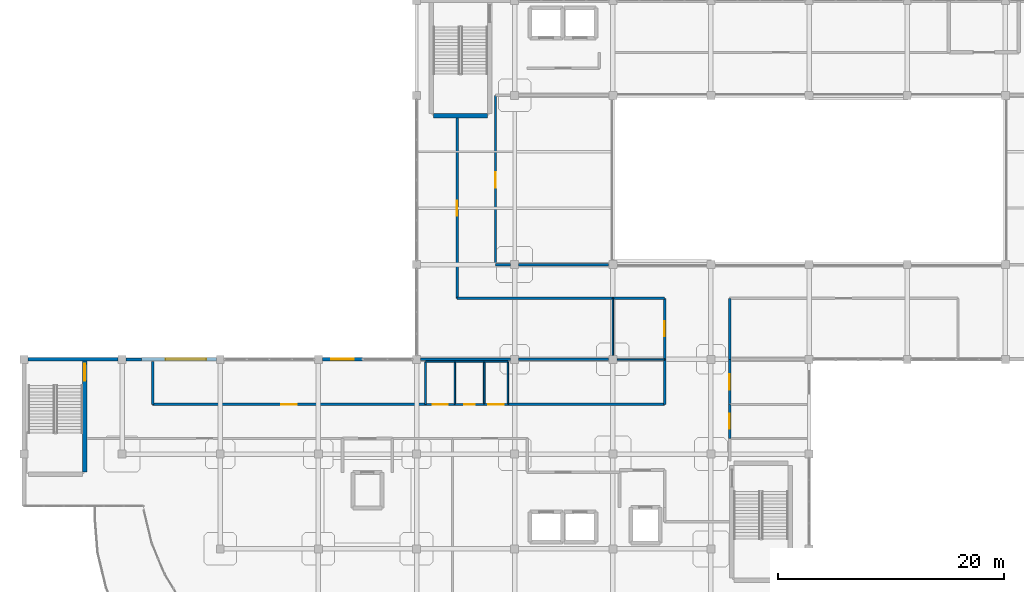
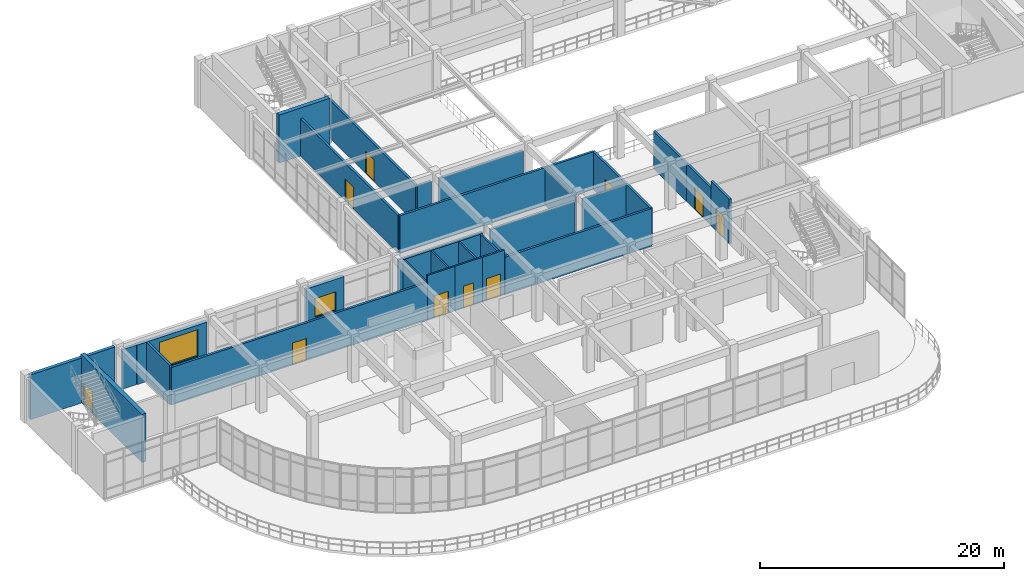
# One storey, part 61 of 76: 34 walls, 10 doors, 2 windows, 12 openings.
"""IFC4 building model written with IfcOpenShell, lengths in metres."""

from ifc_helpers import new_model, si_unit, derived_unit, direction, frame, frame_2d, origin, place, context, subcontext, project, spatial, rectangle, extrude, material, layer, layer_set, type_object, element, fill, save


model = new_model("IFC4")

# Units and contexts
model_context = context("Model", 3, precision=1e-05, world=origin(), true_north=direction((0.0, 1.0)))
body_context = subcontext(model_context, "Body", "Model", "MODEL_VIEW")
ifc_project = project(units=[si_unit("LENGTHUNIT", "METRE"), si_unit("AREAUNIT", "SQUARE_METRE"), si_unit("VOLUMEUNIT", "CUBIC_METRE"), si_unit("PLANEANGLEUNIT", "RADIAN"), si_unit("MASSUNIT", "GRAM", prefix="KILO"), derived_unit("THERMALTRANSMITTANCEUNIT", [(si_unit("MASSUNIT", "GRAM", prefix="KILO"), 1), (si_unit("TIMEUNIT", "SECOND"), -3), (si_unit("THERMODYNAMICTEMPERATUREUNIT", "KELVIN"), -1)])], contexts=[model_context])

# Site, building, storey
site_placement = place(None, origin())
site = spatial("IfcSite", under=ifc_project, at=site_placement, CompositionType="ELEMENT")
building_placement = place(site_placement, origin())
building = spatial("IfcBuilding", under=site, at=building_placement, Name="Qinzheling Arcade Emporium", CompositionType="ELEMENT")
storey_placement = place(building_placement, frame((0.0, 0.0, 26.699951171875)))
storey = spatial("IfcBuildingStorey", under=building, at=storey_placement, Name="L06", CompositionType="ELEMENT", Elevation=26.699951171875)

# Wall, opening, door
ifc_material_1 = material(Name="Double-stud acoustic gypsum board partition")
ifc_layer_1 = layer(ifc_material_1, 0.215087890625, Name="Double-stud acoustic gypsum board partition")
ifc_layer_set_1 = layer_set([ifc_layer_1], Name="Double-stud acoustic gypsum board partition")
wall_type_1 = type_object("IfcWallType", Name="Acoustic Corridor Partition Wall 215", PredefinedType="PARTITIONING", material=ifc_layer_set_1)
wall_1_placement = place(storey_placement, frame((62.550048828125, 42.0, 0.0), z_axis=(0.0, 0.0, 1.0), x_axis=(0.0, -1.0, 0.0)))
wall_1 = element("IfcWall", 1, at=wall_1_placement, inside=storey, type_object=wall_type_1, Name="Interior Wall WL-L06-INT-0828", PredefinedType="PARTITIONING", context=body_context, shape_type="SweptSolid", body=[
    extrude(rectangle(XDim=4.0, YDim=0.215087890625, at=frame_2d((2.0, 0.0))), origin(), (0.0, 0.0, 1.0), 3.760009765625),
])
opening_1_placement = place(wall_1_placement, frame((1.324951171875, 0.0, 0.0)))
opening_1 = element("IfcOpeningElement", 2, at=opening_1_placement, cuts=wall_1, Name="Opening FD05", PredefinedType="OPENING", context=body_context, shape_type="SweptSolid", body=[
    extrude(rectangle(XDim=1.35009765625, YDim=2.199951171875, at=frame_2d((0.675048828125, 1.10009765625))), frame((0.0, 0.11767578125, 0.0), z_axis=(0.0, -1.0, 0.0), x_axis=(1.0, 0.0, 0.0)), (0.0, 0.0, 1.0), 0.235107421875),
])
ifc_material_2 = material(Name="Class B fire-rated stainless-clad door")
door_type_1 = type_object("IfcDoorType", Name="Kitchen Fire-Rated Service Door 1350x2200", OperationType="NOTDEFINED", PredefinedType="DOOR", material=ifc_material_2)
door_1_placement = place(opening_1_placement, origin())
door_1 = element("IfcDoor", 3, at=door_1_placement, inside=storey, type_object=door_type_1, Name="FD05 Interior Door DR-L06-INT-0237", OperationType="SINGLE_SWING_LEFT", OverallHeight=2.199951171875, OverallWidth=1.35009765625, PredefinedType="DOOR", context=body_context, shape_type="SweptSolid", body=[
    extrude(rectangle(XDim=1.35009765625, YDim=2.199951171875, at=frame_2d((0.675048828125, 1.10009765625))), frame((0.0, 0.02490234375, 0.0), z_axis=(0.0, -1.0, 0.0), x_axis=(1.0, 0.0, 0.0)), (0.0, 0.0, 1.0), 0.050048828125),
])
fill(opening_1, door_1)

# Wall
wall_2_placement = place(storey_placement, frame((11.39990234375, 41.824951171875, 0.0), z_axis=(0.0, 0.0, 1.0), x_axis=(0.0, -1.0, 0.0)))
element("IfcWall", 4, at=wall_2_placement, inside=storey, type_object=wall_type_1, Name="Interior Wall WL-L06-INT-0829", PredefinedType="PARTITIONING", context=body_context, shape_type="SweptSolid", body=[
    extrude(rectangle(XDim=3.824951171875, YDim=0.215087890625, at=frame_2d((1.91259765625, 0.0))), origin(), (0.0, 0.0, 1.0), 3.9599609375),
])

# Wall, opening, door
wall_3_placement = place(storey_placement, frame((11.39990234375, 38.0, 0.0), z_axis=(0.0, 0.0, 1.0), x_axis=(1.0, 0.0, 0.0)))
wall_3 = element("IfcWall", 5, at=wall_3_placement, inside=storey, type_object=wall_type_1, Name="Interior Wall WL-L06-INT-0830", PredefinedType="PARTITIONING", context=body_context, shape_type="SweptSolid", body=[
    extrude(rectangle(XDim=24.2001953125, YDim=0.215087890625, at=frame_2d((12.10009765625, 0.0))), origin(), (0.0, 0.0, 1.0), 3.760009765625),
])
opening_2_placement = place(wall_3_placement, frame((11.425048828125, 0.0, 0.0)))
opening_2 = element("IfcOpeningElement", 6, at=opening_2_placement, cuts=wall_3, Name="Opening FD05", PredefinedType="OPENING", context=body_context, shape_type="SweptSolid", body=[
    extrude(rectangle(XDim=1.35009765625, YDim=2.199951171875, at=frame_2d((0.675048828125, 1.10009765625))), frame((0.0, 0.11767578125, 0.0), z_axis=(0.0, -1.0, 0.0), x_axis=(1.0, 0.0, 0.0)), (0.0, 0.0, 1.0), 0.235107421875),
])
door_2_placement = place(opening_2_placement, origin())
door_2 = element("IfcDoor", 7, at=door_2_placement, inside=storey, type_object=door_type_1, Name="FD05 Interior Door DR-L06-INT-0238", OperationType="SINGLE_SWING_RIGHT", OverallHeight=2.199951171875, OverallWidth=1.35009765625, PredefinedType="DOOR", context=body_context, shape_type="SweptSolid", body=[
    extrude(rectangle(XDim=1.35009765625, YDim=2.199951171875, at=frame_2d((0.675048828125, 1.10009765625))), frame((0.0, 0.02490234375, 0.0), z_axis=(0.0, -1.0, 0.0), x_axis=(1.0, 0.0, 0.0)), (0.0, 0.0, 1.0), 0.050048828125),
])
fill(opening_2, door_2)

# Walls
wall_4_placement = place(storey_placement, frame((42.89990234375, 38.0, 0.0), z_axis=(0.0, 0.0, 1.0), x_axis=(1.0, 0.0, 0.0)))
element("IfcWall", 8, at=wall_4_placement, inside=storey, type_object=wall_type_1, Name="Interior Wall WL-L06-INT-0831", PredefinedType="PARTITIONING", context=body_context, shape_type="SweptSolid", body=[
    extrude(rectangle(XDim=13.900146484375, YDim=0.215087890625, at=frame_2d((6.9501953125, 0.0))), origin(), (0.0, 0.0, 1.0), 3.760009765625),
])
wall_5_placement = place(storey_placement, frame((56.800048828125, 38.0, 0.0), z_axis=(0.0, 0.0, 1.0), x_axis=(0.0, 1.0, 0.0)))
element("IfcWall", 9, at=wall_5_placement, inside=storey, type_object=wall_type_1, Name="Interior Wall WL-L06-INT-0832", PredefinedType="PARTITIONING", context=body_context, shape_type="SweptSolid", body=[
    extrude(rectangle(XDim=4.0, YDim=0.215087890625, at=frame_2d((2.0, 0.0))), origin(), (0.0, 0.0, 1.0), 3.760009765625),
])
wall_6_placement = place(storey_placement, frame((52.199951171875, 47.39990234375, 0.0), z_axis=(0.0, 0.0, 1.0), x_axis=(-1.0, 0.0, 0.0)))
element("IfcWall", 10, at=wall_6_placement, inside=storey, type_object=wall_type_1, Name="Interior Wall WL-L06-INT-0841", PredefinedType="PARTITIONING", context=body_context, shape_type="SweptSolid", body=[
    extrude(rectangle(XDim=13.800048828125, YDim=0.215087890625, at=frame_2d((6.89990234375, 0.0))), origin(), (0.0, 0.0, 1.0), 3.760009765625),
])

# Wall, opening, door
wall_7_placement = place(storey_placement, frame((38.39990234375, 47.39990234375, 0.0), z_axis=(0.0, 0.0, 1.0), x_axis=(0.0, 1.0, 0.0)))
wall_7 = element("IfcWall", 11, at=wall_7_placement, inside=storey, type_object=wall_type_1, Name="Interior Wall WL-L06-INT-0842", PredefinedType="PARTITIONING", context=body_context, shape_type="SweptSolid", body=[
    extrude(rectangle(XDim=15.9951171875, YDim=0.215087890625, at=frame_2d((7.99755859375, 0.0))), origin(), (0.0, 0.0, 1.0), 3.760009765625),
])
opening_3_placement = place(wall_7_placement, frame((7.322998046875, 0.0, 0.0)))
opening_3 = element("IfcOpeningElement", 12, at=opening_3_placement, cuts=wall_7, Name="Opening FD05", PredefinedType="OPENING", context=body_context, shape_type="SweptSolid", body=[
    extrude(rectangle(XDim=1.35009765625, YDim=2.199951171875, at=frame_2d((0.675048828125, 1.10009765625))), frame((0.0, 0.11767578125, 0.0), z_axis=(0.0, -1.0, 0.0), x_axis=(1.0, 0.0, 0.0)), (0.0, 0.0, 1.0), 0.235107421875),
])
door_3_placement = place(opening_3_placement, origin())
door_3 = element("IfcDoor", 13, at=door_3_placement, inside=storey, type_object=door_type_1, Name="FD05 Interior Door DR-L06-INT-0241", OperationType="SINGLE_SWING_LEFT", OverallHeight=2.199951171875, OverallWidth=1.35009765625, PredefinedType="DOOR", context=body_context, shape_type="SweptSolid", body=[
    extrude(rectangle(XDim=1.35009765625, YDim=2.199951171875, at=frame_2d((0.675048828125, 1.10009765625))), frame((0.0, 0.02490234375, 0.0), z_axis=(0.0, -1.0, 0.0), x_axis=(1.0, 0.0, 0.0)), (0.0, 0.0, 1.0), 0.050048828125),
])
fill(opening_3, door_3)

wall_8_placement = place(storey_placement, frame((41.800048828125, 65.39990234375, 0.0), z_axis=(0.0, 0.0, 1.0), x_axis=(0.0, -1.0, 0.0)))
wall_8 = element("IfcWall", 14, at=wall_8_placement, inside=storey, type_object=wall_type_1, Name="Interior Wall WL-L06-INT-0845", PredefinedType="PARTITIONING", context=body_context, shape_type="SweptSolid", body=[
    extrude(rectangle(XDim=15.0, YDim=0.215087890625, at=frame_2d((7.5, 0.0))), origin(), (0.0, 0.0, 1.0), 3.760009765625),
])
opening_4_placement = place(wall_8_placement, frame((6.824951171875, 0.0, 0.0)))
opening_4 = element("IfcOpeningElement", 15, at=opening_4_placement, cuts=wall_8, Name="Opening FD05", PredefinedType="OPENING", context=body_context, shape_type="SweptSolid", body=[
    extrude(rectangle(XDim=1.35009765625, YDim=2.199951171875, at=frame_2d((0.675048828125, 1.10009765625))), frame((0.0, 0.11767578125, 0.0), z_axis=(0.0, -1.0, 0.0), x_axis=(1.0, 0.0, 0.0)), (0.0, 0.0, 1.0), 0.235107421875),
])
door_4_placement = place(opening_4_placement, origin())
door_4 = element("IfcDoor", 16, at=door_4_placement, inside=storey, type_object=door_type_1, Name="FD05 Interior Door DR-L06-INT-0242", OperationType="SINGLE_SWING_RIGHT", OverallHeight=2.199951171875, OverallWidth=1.35009765625, PredefinedType="DOOR", context=body_context, shape_type="SweptSolid", body=[
    extrude(rectangle(XDim=1.35009765625, YDim=2.199951171875, at=frame_2d((0.675048828125, 1.10009765625))), frame((0.0, 0.02490234375, 0.0), z_axis=(0.0, -1.0, 0.0), x_axis=(1.0, 0.0, 0.0)), (0.0, 0.0, 1.0), 0.050048828125),
])
fill(opening_4, door_4)

# Walls
wall_9_placement = place(storey_placement, frame((41.800048828125, 50.39990234375, 0.0), z_axis=(0.0, 0.0, 1.0), x_axis=(1.0, 0.0, 0.0)))
element("IfcWall", 17, at=wall_9_placement, inside=storey, type_object=wall_type_1, Name="Interior Wall WL-L06-INT-0846", PredefinedType="PARTITIONING", context=body_context, shape_type="SweptSolid", body=[
    extrude(rectangle(XDim=1.33984375, YDim=0.215087890625, at=frame_2d((0.669921875, 0.0))), origin(), (0.0, 0.0, 1.0), 3.760009765625),
])
wall_10_placement = place(storey_placement, frame((43.860107421875, 50.39990234375, 0.0), z_axis=(0.0, 0.0, 1.0), x_axis=(1.0, 0.0, 0.0)))
element("IfcWall", 18, at=wall_10_placement, inside=storey, type_object=wall_type_1, Name="Interior Wall WL-L06-INT-0847", PredefinedType="PARTITIONING", context=body_context, shape_type="SweptSolid", body=[
    extrude(rectangle(XDim=7.97998046875, YDim=0.215087890625, at=frame_2d((3.989990234375, 0.0))), origin(), (0.0, 0.0, 1.0), 3.760009765625),
])
wall_11_placement = place(storey_placement, frame((62.550048828125, 47.39990234375, 0.0), z_axis=(0.0, 0.0, 1.0), x_axis=(0.0, -1.0, 0.0)))
element("IfcWall", 19, at=wall_11_placement, inside=storey, type_object=wall_type_1, Name="Interior Wall WL-L06-INT-0851", PredefinedType="PARTITIONING", context=body_context, shape_type="SweptSolid", body=[
    extrude(rectangle(XDim=5.39990234375, YDim=0.215087890625, at=frame_2d((2.699951171875, 0.0))), origin(), (0.0, 0.0, 1.0), 3.760009765625),
])

# Wall, opening, door
wall_12_placement = place(storey_placement, frame((56.800048828125, 42.0, 0.0), z_axis=(0.0, 0.0, 1.0), x_axis=(0.0, 1.0, 0.0)))
wall_12 = element("IfcWall", 20, at=wall_12_placement, inside=storey, type_object=wall_type_1, Name="Interior Wall WL-L06-INT-0852", PredefinedType="PARTITIONING", context=body_context, shape_type="SweptSolid", body=[
    extrude(rectangle(XDim=5.39990234375, YDim=0.215087890625, at=frame_2d((2.699951171875, 0.0))), origin(), (0.0, 0.0, 1.0), 3.760009765625),
])
opening_5_placement = place(wall_12_placement, frame((2.02490234375, 0.0, 0.0)))
opening_5 = element("IfcOpeningElement", 21, at=opening_5_placement, cuts=wall_12, Name="Opening FD05", PredefinedType="OPENING", context=body_context, shape_type="SweptSolid", body=[
    extrude(rectangle(XDim=1.35009765625, YDim=2.199951171875, at=frame_2d((0.675048828125, 1.10009765625))), frame((0.0, 0.11767578125, 0.0), z_axis=(0.0, -1.0, 0.0), x_axis=(1.0, 0.0, 0.0)), (0.0, 0.0, 1.0), 0.235107421875),
])
door_5_placement = place(opening_5_placement, origin())
door_5 = element("IfcDoor", 22, at=door_5_placement, inside=storey, type_object=door_type_1, Name="FD05 Interior Door DR-L06-INT-0245", OperationType="SINGLE_SWING_LEFT", OverallHeight=2.199951171875, OverallWidth=1.35009765625, PredefinedType="DOOR", context=body_context, shape_type="SweptSolid", body=[
    extrude(rectangle(XDim=1.35009765625, YDim=2.199951171875, at=frame_2d((0.675048828125, 1.10009765625))), frame((0.0, 0.02490234375, 0.0), z_axis=(0.0, -1.0, 0.0), x_axis=(1.0, 0.0, 0.0)), (0.0, 0.0, 1.0), 0.050048828125),
])
fill(opening_5, door_5)

# Wall
wall_13_placement = place(storey_placement, frame((56.800048828125, 47.39990234375, 0.0), z_axis=(0.0, 0.0, 1.0), x_axis=(-1.0, 0.0, 0.0)))
element("IfcWall", 23, at=wall_13_placement, inside=storey, type_object=wall_type_1, Name="Interior Wall WL-L06-INT-0853", PredefinedType="PARTITIONING", context=body_context, shape_type="SweptSolid", body=[
    extrude(rectangle(XDim=4.60009765625, YDim=0.215087890625, at=frame_2d((2.300048828125, 0.0))), origin(), (0.0, 0.0, 1.0), 3.760009765625),
])

# Wall, opening, door
wall_14_placement = place(storey_placement, frame((62.550048828125, 38.0, 0.0), z_axis=(0.0, 0.0, 1.0), x_axis=(0.0, -1.0, 0.0)))
wall_14 = element("IfcWall", 24, at=wall_14_placement, inside=storey, type_object=wall_type_1, Name="Interior Wall WL-L06-INT-0865", PredefinedType="PARTITIONING", context=body_context, shape_type="SweptSolid", body=[
    extrude(rectangle(XDim=3.0, YDim=0.215087890625, at=frame_2d((1.5, 0.0))), origin(), (0.0, 0.0, 1.0), 4.4599609375),
])
opening_6_placement = place(wall_14_placement, frame((0.824951171875, 0.0, 0.0)))
opening_6 = element("IfcOpeningElement", 25, at=opening_6_placement, cuts=wall_14, Name="Opening FD05", PredefinedType="OPENING", context=body_context, shape_type="SweptSolid", body=[
    extrude(rectangle(XDim=1.35009765625, YDim=2.199951171875, at=frame_2d((0.675048828125, 1.10009765625))), frame((0.0, 0.11767578125, 0.0), z_axis=(0.0, -1.0, 0.0), x_axis=(1.0, 0.0, 0.0)), (0.0, 0.0, 1.0), 0.235107421875),
])
door_6_placement = place(opening_6_placement, origin())
door_6 = element("IfcDoor", 26, at=door_6_placement, inside=storey, type_object=door_type_1, Name="FD05 Interior Door DR-L06-INT-0254", OperationType="SINGLE_SWING_RIGHT", OverallHeight=2.199951171875, OverallWidth=1.35009765625, PredefinedType="DOOR", context=body_context, shape_type="SweptSolid", body=[
    extrude(rectangle(XDim=1.35009765625, YDim=2.199951171875, at=frame_2d((0.675048828125, 1.10009765625))), frame((0.0, 0.02490234375, 0.0), z_axis=(0.0, -1.0, 0.0), x_axis=(1.0, 0.0, 0.0)), (0.0, 0.0, 1.0), 0.050048828125),
])
fill(opening_6, door_6)

# Walls
for number, where, z_axis, x_axis, name in (
    (27, (35.159912109375, 42.0, 0.0), (0.0, 0.0, 1.0), (1.0, 0.0, 0.0), "Interior Wall WL-L06-INT-0868"),
    (28, (43.860107421875, 42.0, 0.0), (0.0, 0.0, 1.0), (1.0, 0.0, 0.0), "Interior Wall WL-L06-INT-0869"),
):
    element("IfcWall", number, at=place(storey_placement, frame(where, z_axis=z_axis, x_axis=x_axis)), inside=storey, type_object=wall_type_1, Name=name, PredefinedType="PARTITIONING", context=body_context, shape_type="SweptSolid", body=[
        extrude(rectangle(XDim=7.97998046875, YDim=0.215087890625, at=frame_2d((3.989990234375, 0.0))), origin(), (0.0, 0.0, 1.0), 3.760009765625),
    ])
ifc_material_3 = material(Name="Insulated aluminium-clad spandrel wall", Category="aluminium")
ifc_layer_2 = layer(ifc_material_3, 0.260009765625, Name="Insulated aluminium-clad spandrel wall", Category="aluminium")
ifc_layer_set_2 = layer_set([ifc_layer_2], Name="Insulated aluminium-clad spandrel wall")
wall_type_2 = type_object("IfcWallType", Name="Arcade Clerestory Spandrel Wall 260", PredefinedType="STANDARD", material=ifc_layer_set_2)
wall_15_placement = place(storey_placement, frame((9.052001953125, 42.0, 0.0), z_axis=(0.0, 0.0, 1.0), x_axis=(1.0, 0.0, 0.0)))
element("IfcWall", 29, at=wall_15_placement, inside=storey, type_object=wall_type_2, Name="Exterior Wall WL-L06-EW-0306", PredefinedType="STANDARD", context=body_context, shape_type="SweptSolid", body=[
    extrude(rectangle(XDim=1.347900390625, YDim=0.260009765625, at=frame_2d((0.673828125, 0.0))), origin(), (0.0, 0.0, 1.0), 3.955078125),
])

# Wall, opening, window
ifc_material_4 = material(Name="Celadon glazed terracotta insulated spandrel", Category="masonry")
ifc_layer_3 = layer(ifc_material_4, 0.340087890625, Name="Celadon glazed terracotta insulated spandrel", Category="masonry")
ifc_layer_set_3 = layer_set([ifc_layer_3], Name="Celadon glazed terracotta insulated spandrel")
wall_type_3 = type_object("IfcWallType", Name="Celadon Spandrel Infill Wall 340", PredefinedType="STANDARD", material=ifc_layer_set_3)
wall_16_placement = place(storey_placement, frame((10.39990234375, 42.0, 0.0), z_axis=(0.0, 0.0, 1.0), x_axis=(1.0, 0.0, 0.0)))
wall_16 = element("IfcWall", 30, at=wall_16_placement, inside=storey, type_object=wall_type_3, Name="Exterior Wall WL-L06-EW-0307", PredefinedType="STANDARD", context=body_context, shape_type="SweptSolid", body=[
    extrude(rectangle(XDim=6.648193359375, YDim=0.340087890625, at=frame_2d((3.32421875, 0.0))), origin(), (0.0, 0.0, 1.0), 3.955078125),
])
opening_7_placement = place(wall_16_placement, frame((2.154052734375, 0.0, 0.85009765625)))
opening_7 = element("IfcOpeningElement", 31, at=opening_7_placement, cuts=wall_16, Name="Opening WN24", PredefinedType="OPENING", context=body_context, shape_type="SweptSolid", body=[
    extrude(rectangle(XDim=3.60009765625, YDim=2.64990234375, at=frame_2d((1.800048828125, 1.324951171875))), frame((0.0, 0.18017578125, 0.0), z_axis=(0.0, -1.0, 0.0), x_axis=(1.0, 0.0, 0.0)), (0.0, 0.0, 1.0), 0.360107421875),
])
ifc_material_5 = material(Name="Thermally broken aluminium frame with solar-control double glazing", Category="aluminium")
window_type_1 = type_object("IfcWindowType", Name="Chicago Tripartite Window 3600x2650", PartitioningType="TRIPLE_PANEL_VERTICAL", PredefinedType="WINDOW", material=ifc_material_5)
window_1_placement = place(opening_7_placement, origin())
window_1 = element("IfcWindow", 32, at=window_1_placement, inside=storey, type_object=window_type_1, Name="WN24 Window WN-L06-0076", OverallHeight=2.64990234375, OverallWidth=3.60009765625, PartitioningType="TRIPLE_PANEL_VERTICAL", PredefinedType="WINDOW", context=body_context, shape_type="SweptSolid", body=[
    extrude(rectangle(XDim=3.60009765625, YDim=2.64990234375, at=frame_2d((1.800048828125, 1.324951171875))), frame((0.0, 0.030029296875, 0.0), z_axis=(0.0, -1.0, 0.0), x_axis=(1.0, 0.0, 0.0)), (0.0, 0.0, 1.0), 0.06005859375),
])
fill(opening_7, window_1)

ifc_material_6 = material(Name="Glazed cream terracotta insulated wall", Category="masonry")
ifc_layer_4 = layer(ifc_material_6, 0.320068359375, Name="Glazed cream terracotta insulated wall", Category="masonry")
ifc_layer_set_4 = layer_set([ifc_layer_4], Name="Glazed cream terracotta insulated wall")
wall_type_4 = type_object("IfcWallType", Name="Chicago Frame Infill Wall 320", PredefinedType="STANDARD", material=ifc_layer_set_4)
wall_17_placement = place(storey_placement, frame((26.451904296875, 42.0, 0.0), z_axis=(0.0, 0.0, 1.0), x_axis=(1.0, 0.0, 0.0)))
wall_17 = element("IfcWall", 33, at=wall_17_placement, inside=storey, type_object=wall_type_4, Name="Exterior Wall WL-L06-EW-0308", PredefinedType="STANDARD", context=body_context, shape_type="SweptSolid", body=[
    extrude(rectangle(XDim=3.548095703125, YDim=0.320068359375, at=frame_2d((1.77392578125, 0.0))), origin(), (0.0, 0.0, 1.0), 3.955078125),
])
opening_8_placement = place(wall_17_placement, frame((0.77392578125, 0.0, 0.85009765625)))
opening_8 = element("IfcOpeningElement", 34, at=opening_8_placement, cuts=wall_17, Name="Opening WN60", PredefinedType="OPENING", context=body_context, shape_type="SweptSolid", body=[
    extrude(rectangle(XDim=2.0, YDim=1.85009765625, at=frame_2d((1.0, 0.925048828125))), frame((0.0, 0.169921875, 0.0), z_axis=(0.0, -1.0, 0.0), x_axis=(1.0, 0.0, 0.0)), (0.0, 0.0, 1.0), 0.340087890625),
])
window_type_2 = type_object("IfcWindowType", Name="Chicago Tripartite Window 2000x1850", PartitioningType="TRIPLE_PANEL_VERTICAL", PredefinedType="WINDOW", material=ifc_material_5)
window_2_placement = place(opening_8_placement, origin())
window_2 = element("IfcWindow", 35, at=window_2_placement, inside=storey, type_object=window_type_2, Name="WN60 Window WN-L06-0077", OverallHeight=1.85009765625, OverallWidth=2.0, PartitioningType="TRIPLE_PANEL_VERTICAL", PredefinedType="WINDOW", context=body_context, shape_type="SweptSolid", body=[
    extrude(rectangle(XDim=2.0, YDim=1.85009765625, at=frame_2d((1.0, 0.925048828125))), frame((0.0, 0.030029296875, 0.0), z_axis=(0.0, -1.0, 0.0), x_axis=(1.0, 0.0, 0.0)), (0.0, 0.0, 1.0), 0.06005859375),
])
fill(opening_8, window_2)

# Wall
ifc_material_7 = material(Name="Lightweight gypsum studio partition")
ifc_layer_5 = layer(ifc_material_7, 0.125, Name="Lightweight gypsum studio partition")
ifc_layer_set_5 = layer_set([ifc_layer_5], Name="Lightweight gypsum studio partition")
wall_type_5 = type_object("IfcWallType", Name="Merchandising Studio Partition Wall 125", PredefinedType="PARTITIONING", material=ifc_layer_set_5)
wall_18_placement = place(storey_placement, frame((52.56005859375, 42.0, 0.0), z_axis=(0.0, 0.0, 1.0), x_axis=(1.0, 0.0, 0.0)))
element("IfcWall", 36, at=wall_18_placement, inside=storey, type_object=wall_type_5, Name="Interior Wall WL-L06-INT-0870", PredefinedType="PARTITIONING", context=body_context, shape_type="SweptSolid", body=[
    extrude(rectangle(XDim=4.239990234375, YDim=0.125, at=frame_2d((2.1201171875, 0.0))), origin(), (0.0, 0.0, 1.0), 3.760009765625),
])

# Wall, opening, door
ifc_material_8 = material(Name="Moisture-resistant shaftliner gypsum board")
ifc_layer_6 = layer(ifc_material_8, 0.155029296875, Name="Moisture-resistant shaftliner gypsum board")
ifc_layer_set_6 = layer_set([ifc_layer_6], Name="Moisture-resistant shaftliner gypsum board")
wall_type_6 = type_object("IfcWallType", Name="Plumbing and Service Riser Wall 155", PredefinedType="MOVABLE", material=ifc_layer_set_6)
wall_19_placement = place(storey_placement, frame((38.199951171875, 38.0, 0.0), z_axis=(0.0, 0.0, 1.0), x_axis=(-1.0, 0.0, 0.0)))
wall_19 = element("IfcWall", 37, at=wall_19_placement, inside=storey, type_object=wall_type_6, Name="Interior Wall WL-L06-INT-0805", PredefinedType="MOVABLE", context=body_context, shape_type="SweptSolid", body=[
    extrude(rectangle(XDim=2.599853515625, YDim=0.155029296875, at=frame_2d((1.2998046875, 0.0))), origin(), (0.0, 0.0, 1.0), 4.4599609375),
])
opening_9_placement = place(wall_19_placement, frame((0.625, 0.0, 0.0)))
opening_9 = element("IfcOpeningElement", 38, at=opening_9_placement, cuts=wall_19, Name="Opening FD05", PredefinedType="OPENING", context=body_context, shape_type="SweptSolid", body=[
    extrude(rectangle(XDim=1.35009765625, YDim=2.199951171875, at=frame_2d((0.675048828125, 1.10009765625))), frame((0.0, 0.08740234375, 0.0), z_axis=(0.0, -1.0, 0.0), x_axis=(1.0, 0.0, 0.0)), (0.0, 0.0, 1.0), 0.175048828125),
])
door_7_placement = place(opening_9_placement, origin())
door_7 = element("IfcDoor", 39, at=door_7_placement, inside=storey, type_object=door_type_1, Name="FD05 Interior Door DR-L06-INT-0232", OperationType="SINGLE_SWING_RIGHT", OverallHeight=2.199951171875, OverallWidth=1.35009765625, PredefinedType="DOOR", context=body_context, shape_type="SweptSolid", body=[
    extrude(rectangle(XDim=1.35009765625, YDim=2.199951171875, at=frame_2d((0.675048828125, 1.10009765625))), frame((0.0, 0.02490234375, 0.0), z_axis=(0.0, -1.0, 0.0), x_axis=(1.0, 0.0, 0.0)), (0.0, 0.0, 1.0), 0.050048828125),
])
fill(opening_9, door_7)

# Wall
wall_20_placement = place(storey_placement, frame((40.800048828125, 41.800048828125, 0.0), z_axis=(0.0, 0.0, 1.0), x_axis=(0.0, -1.0, 0.0)))
element("IfcWall", 40, at=wall_20_placement, inside=storey, type_object=wall_type_6, Name="Interior Wall WL-L06-INT-0808", PredefinedType="MOVABLE", context=body_context, shape_type="SweptSolid", body=[
    extrude(rectangle(XDim=3.800048828125, YDim=0.155029296875, at=frame_2d((1.89990234375, 0.0))), origin(), (0.0, 0.0, 1.0), 3.760009765625),
])

# Wall, opening, door
wall_21_placement = place(storey_placement, frame((42.89990234375, 38.0, 0.0), z_axis=(0.0, 0.0, 1.0), x_axis=(-1.0, 0.0, 0.0)))
wall_21 = element("IfcWall", 41, at=wall_21_placement, inside=storey, type_object=wall_type_6, Name="Interior Wall WL-L06-INT-0811", PredefinedType="MOVABLE", context=body_context, shape_type="SweptSolid", body=[
    extrude(rectangle(XDim=2.099853515625, YDim=0.155029296875, at=frame_2d((1.0498046875, 0.0))), origin(), (0.0, 0.0, 1.0), 4.4599609375),
])
opening_10_placement = place(wall_21_placement, frame((0.375, 0.0, 0.0)))
opening_10 = element("IfcOpeningElement", 42, at=opening_10_placement, cuts=wall_21, Name="Opening FD05", PredefinedType="OPENING", context=body_context, shape_type="SweptSolid", body=[
    extrude(rectangle(XDim=1.35009765625, YDim=2.199951171875, at=frame_2d((0.675048828125, 1.10009765625))), frame((0.0, 0.08740234375, 0.0), z_axis=(0.0, -1.0, 0.0), x_axis=(1.0, 0.0, 0.0)), (0.0, 0.0, 1.0), 0.175048828125),
])
door_8_placement = place(opening_10_placement, origin())
door_8 = element("IfcDoor", 43, at=door_8_placement, inside=storey, type_object=door_type_1, Name="FD05 Interior Door DR-L06-INT-0234", OperationType="SINGLE_SWING_RIGHT", OverallHeight=2.199951171875, OverallWidth=1.35009765625, PredefinedType="DOOR", context=body_context, shape_type="SweptSolid", body=[
    extrude(rectangle(XDim=1.35009765625, YDim=2.199951171875, at=frame_2d((0.675048828125, 1.10009765625))), frame((0.0, 0.02490234375, 0.0), z_axis=(0.0, -1.0, 0.0), x_axis=(1.0, 0.0, 0.0)), (0.0, 0.0, 1.0), 0.050048828125),
])
fill(opening_10, door_8)

ifc_material_9 = material(Name="Concrete C50", Category="concrete")
ifc_layer_7 = layer(ifc_material_9, 0.39990234375, Name="Concrete C50", Category="concrete")
ifc_layer_set_7 = layer_set([ifc_layer_7], Name="Concrete C50")
wall_type_7 = type_object("IfcWallType", Name="RC Stair Core Shear Wall 400 C50", PredefinedType="SHEAR", material=ifc_layer_set_7)
wall_22_placement = place(storey_placement, frame((5.389892578125, 42.0, 0.0), z_axis=(0.0, 0.0, 1.0), x_axis=(0.0, -1.0, 0.0)))
wall_22 = element("IfcWall", 44, at=wall_22_placement, inside=storey, type_object=wall_type_7, Name="Stair Core Wall WL-L06-ST02-EAST", PredefinedType="SHEAR", context=body_context, shape_type="SweptSolid", body=[
    extrude(rectangle(XDim=10.0, YDim=0.39990234375, at=frame_2d((5.0, 0.0))), origin(), (0.0, 0.0, 1.0), 4.800048828125),
])
opening_11_placement = place(wall_22_placement, frame((0.409912109375, 0.0, 0.0)))
opening_11 = element("IfcOpeningElement", 45, at=opening_11_placement, cuts=wall_22, Name="Opening FD01", PredefinedType="OPENING", context=body_context, shape_type="SweptSolid", body=[
    extrude(rectangle(XDim=1.5, YDim=2.199951171875, at=frame_2d((0.75, 1.10009765625))), frame((0.0, 0.2099609375, 0.0), z_axis=(0.0, -1.0, 0.0), x_axis=(1.0, 0.0, 0.0)), (0.0, 0.0, 1.0), 0.419921875),
])
ifc_material_10 = material(Name="Class A fire-rated steel double door", Category="steel")
door_type_2 = type_object("IfcDoorType", Name="Stairwell Smoke-Proof Fire Door 1500x2200", OperationType="DOUBLE_DOOR_SINGLE_SWING", PredefinedType="DOOR", material=ifc_material_10)
door_9_placement = place(opening_11_placement, origin())
door_9 = element("IfcDoor", 46, at=door_9_placement, inside=storey, type_object=door_type_2, Name="FD01 Stairwell Fire Door DR-L06-ST02-FD", OperationType="DOUBLE_DOOR_SINGLE_SWING", OverallHeight=2.199951171875, OverallWidth=1.5, PredefinedType="DOOR", context=body_context, shape_type="SweptSolid", body=[
    extrude(rectangle(XDim=1.5, YDim=2.199951171875, at=frame_2d((0.75, 1.10009765625))), frame((0.0, 0.02490234375, 0.0), z_axis=(0.0, -1.0, 0.0), x_axis=(1.0, 0.0, 0.0)), (0.0, 0.0, 1.0), 0.050048828125),
])
fill(opening_11, door_9)

# Walls
wall_23_placement = place(storey_placement, frame((41.090087890625, 63.60009765625, 0.0), z_axis=(0.0, 0.0, 1.0), x_axis=(-1.0, 0.0, 0.0)))
element("IfcWall", 47, at=wall_23_placement, inside=storey, type_object=wall_type_7, Name="Stair Core Wall WL-L06-ST03-SOUTH", PredefinedType="SHEAR", context=body_context, shape_type="SweptSolid", body=[
    extrude(rectangle(XDim=4.7900390625, YDim=0.39990234375, at=frame_2d((2.39501953125, 0.0))), origin(), (0.0, 0.0, 1.0), 4.800048828125),
])
ifc_material_11 = material(Name="Moisture-resistant tea room partition")
ifc_layer_8 = layer(ifc_material_11, 0.1298828125, Name="Moisture-resistant tea room partition")
ifc_layer_set_8 = layer_set([ifc_layer_8], Name="Moisture-resistant tea room partition")
wall_type_8 = type_object("IfcWallType", Name="Tea Room Partition Wall 130", PredefinedType="PARTITIONING", material=ifc_layer_set_8)
wall_24_placement = place(storey_placement, frame((52.199951171875, 47.39990234375, 0.0), z_axis=(0.0, 0.0, 1.0), x_axis=(0.0, -1.0, 0.0)))
element("IfcWall", 48, at=wall_24_placement, inside=storey, type_object=wall_type_8, Name="Interior Wall WL-L06-INT-0873", PredefinedType="PARTITIONING", context=body_context, shape_type="SweptSolid", body=[
    extrude(rectangle(XDim=5.039794921875, YDim=0.1298828125, at=frame_2d((2.52001953125, 0.0))), origin(), (0.0, 0.0, 1.0), 3.760009765625),
])
ifc_layer_9 = layer(ifc_material_6, 0.300048828125, Name="Glazed cream terracotta insulated wall", Category="masonry")
ifc_layer_set_9 = layer_set([ifc_layer_9], Name="Glazed cream terracotta insulated wall")
wall_type_9 = type_object("IfcWallType", Name="Terrace Facade Infill Wall 300", PredefinedType="STANDARD", material=ifc_layer_set_9)
wall_25_placement = place(storey_placement, frame((0.35205078125, 42.0, 0.0), z_axis=(0.0, 0.0, 1.0), x_axis=(1.0, 0.0, 0.0)))
element("IfcWall", 49, at=wall_25_placement, inside=storey, type_object=wall_type_9, Name="Exterior Wall WL-L06-EW-0305", PredefinedType="STANDARD", context=body_context, shape_type="SweptSolid", body=[
    extrude(rectangle(XDim=7.995849609375, YDim=0.300048828125, at=frame_2d((3.998046875, 0.0))), origin(), (0.0, 0.0, 1.0), 4.489990234375),
])
ifc_material_12 = material(Name="Moisture-resistant cement-board WC partition")
ifc_layer_10 = layer(ifc_material_12, 0.14501953125, Name="Moisture-resistant cement-board WC partition")
ifc_layer_set_10 = layer_set([ifc_layer_10], Name="Moisture-resistant cement-board WC partition")
wall_type_10 = type_object("IfcWallType", Name="Washroom Moisture Partition Wall 145", PredefinedType="PARTITIONING", material=ifc_layer_set_10)
for number, where, z_axis, x_axis, name in (
    (50, (38.199951171875, 41.800048828125, 0.0), (0.0, 0.0, 1.0), (0.0, -1.0, 0.0), "Interior Wall WL-L06-INT-0804"),
    (51, (35.60009765625, 38.0, 0.0), (0.0, 0.0, 1.0), (0.0, 1.0, 0.0), "Interior Wall WL-L06-INT-0806"),
):
    element("IfcWall", number, at=place(storey_placement, frame(where, z_axis=z_axis, x_axis=x_axis)), inside=storey, type_object=wall_type_10, Name=name, PredefinedType="PARTITIONING", context=body_context, shape_type="SweptSolid", body=[
        extrude(rectangle(XDim=3.800048828125, YDim=0.14501953125, at=frame_2d((1.89990234375, 0.0))), origin(), (0.0, 0.0, 1.0), 3.760009765625),
    ])
wall_26_placement = place(storey_placement, frame((35.60009765625, 41.800048828125, 0.0), z_axis=(0.0, 0.0, 1.0), x_axis=(1.0, 0.0, 0.0)))
element("IfcWall", 52, at=wall_26_placement, inside=storey, type_object=wall_type_10, Name="Interior Wall WL-L06-INT-0807", PredefinedType="PARTITIONING", context=body_context, shape_type="SweptSolid", body=[
    extrude(rectangle(XDim=2.599853515625, YDim=0.14501953125, at=frame_2d((1.2998046875, 0.0))), origin(), (0.0, 0.0, 1.0), 3.760009765625),
])

# Wall, opening, door
wall_27_placement = place(storey_placement, frame((40.800048828125, 38.0, 0.0), z_axis=(0.0, 0.0, 1.0), x_axis=(-1.0, 0.0, 0.0)))
wall_27 = element("IfcWall", 53, at=wall_27_placement, inside=storey, type_object=wall_type_10, Name="Interior Wall WL-L06-INT-0809", PredefinedType="PARTITIONING", context=body_context, shape_type="SweptSolid", body=[
    extrude(rectangle(XDim=2.60009765625, YDim=0.14501953125, at=frame_2d((1.300048828125, 0.0))), origin(), (0.0, 0.0, 1.0), 4.4599609375),
])
opening_12_placement = place(wall_27_placement, frame((0.824951171875, 0.0, 0.0)))
opening_12 = element("IfcOpeningElement", 54, at=opening_12_placement, cuts=wall_27, Name="Opening D13", PredefinedType="OPENING", context=body_context, shape_type="SweptSolid", body=[
    extrude(rectangle(XDim=0.949951171875, YDim=2.199951171875, at=frame_2d((0.47509765625, 1.10009765625))), frame((0.0, 0.08251953125, 0.0), z_axis=(0.0, -1.0, 0.0), x_axis=(1.0, 0.0, 0.0)), (0.0, 0.0, 1.0), 0.1650390625),
])
ifc_material_13 = material(Name="Antimicrobial high-pressure laminate door")
door_type_3 = type_object("IfcDoorType", Name="Public Female Washroom Door 950x2200", OperationType="NOTDEFINED", PredefinedType="DOOR", material=ifc_material_13)
door_10_placement = place(opening_12_placement, origin())
door_10 = element("IfcDoor", 55, at=door_10_placement, inside=storey, type_object=door_type_3, Name="D13 Interior Door DR-L06-INT-0233", OperationType="SINGLE_SWING_LEFT", OverallHeight=2.199951171875, OverallWidth=0.949951171875, PredefinedType="DOOR", context=body_context, shape_type="SweptSolid", body=[
    extrude(rectangle(XDim=0.949951171875, YDim=2.199951171875, at=frame_2d((0.47509765625, 1.10009765625))), frame((0.0, 0.02490234375, 0.0), z_axis=(0.0, -1.0, 0.0), x_axis=(1.0, 0.0, 0.0)), (0.0, 0.0, 1.0), 0.050048828125),
])
fill(opening_12, door_10)

# Walls
wall_28_placement = place(storey_placement, frame((38.199951171875, 41.800048828125, 0.0), z_axis=(0.0, 0.0, 1.0), x_axis=(1.0, 0.0, 0.0)))
element("IfcWall", 56, at=wall_28_placement, inside=storey, type_object=wall_type_10, Name="Interior Wall WL-L06-INT-0810", PredefinedType="PARTITIONING", context=body_context, shape_type="SweptSolid", body=[
    extrude(rectangle(XDim=2.60009765625, YDim=0.14501953125, at=frame_2d((1.300048828125, 0.0))), origin(), (0.0, 0.0, 1.0), 3.760009765625),
])
wall_29_placement = place(storey_placement, frame((40.800048828125, 41.800048828125, 0.0), z_axis=(0.0, 0.0, 1.0), x_axis=(1.0, 0.0, 0.0)))
element("IfcWall", 57, at=wall_29_placement, inside=storey, type_object=wall_type_10, Name="Interior Wall WL-L06-INT-0812", PredefinedType="PARTITIONING", context=body_context, shape_type="SweptSolid", body=[
    extrude(rectangle(XDim=2.099853515625, YDim=0.14501953125, at=frame_2d((1.0498046875, 0.0))), origin(), (0.0, 0.0, 1.0), 3.760009765625),
])
wall_30_placement = place(storey_placement, frame((42.89990234375, 41.800048828125, 0.0), z_axis=(0.0, 0.0, 1.0), x_axis=(0.0, -1.0, 0.0)))
element("IfcWall", 58, at=wall_30_placement, inside=storey, type_object=wall_type_10, Name="Interior Wall WL-L06-INT-0813", PredefinedType="PARTITIONING", context=body_context, shape_type="SweptSolid", body=[
    extrude(rectangle(XDim=3.800048828125, YDim=0.14501953125, at=frame_2d((1.89990234375, 0.0))), origin(), (0.0, 0.0, 1.0), 3.760009765625),
])

save(model, "model.ifc")
